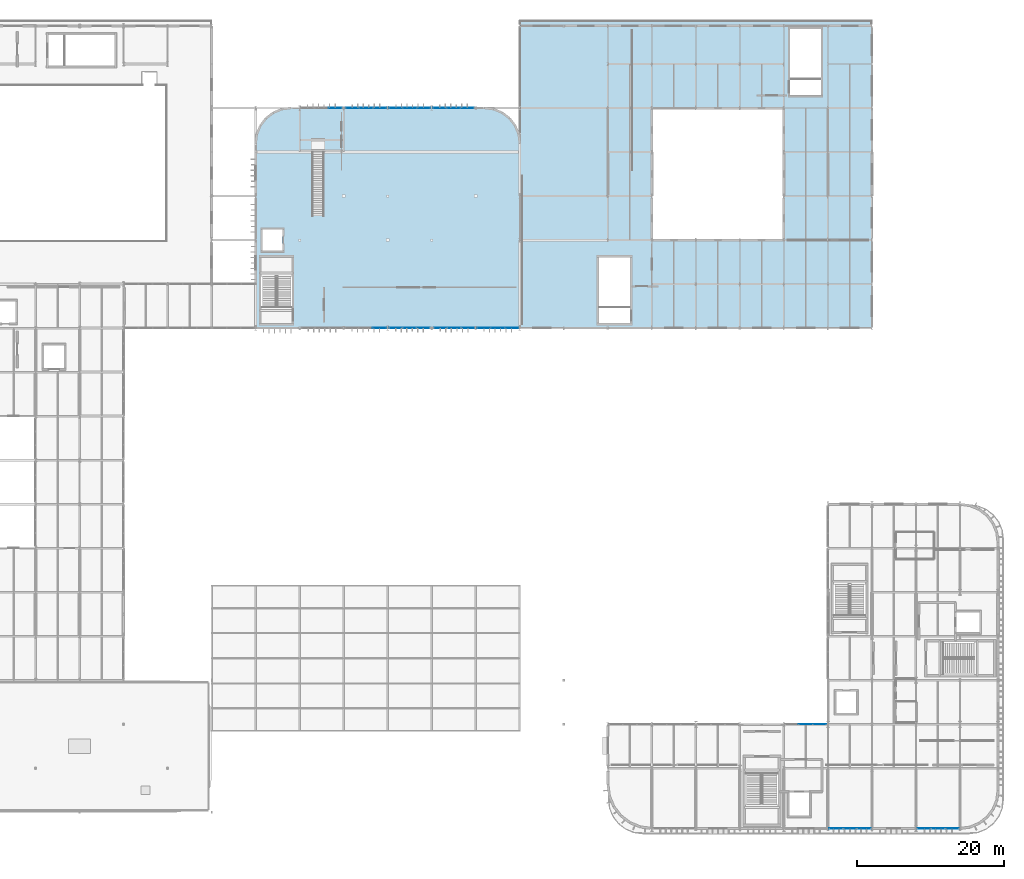
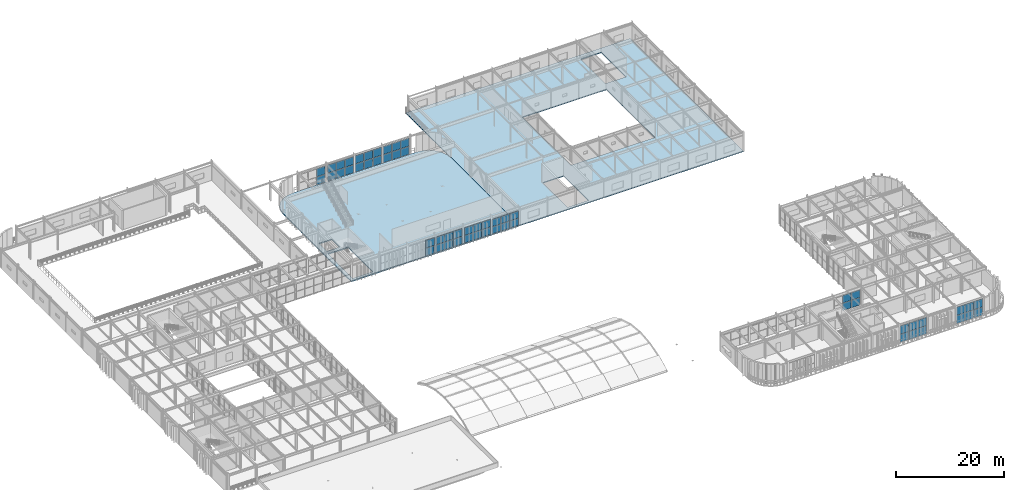
# One storey, part 50 of 84: 56 plates, 2 slabs, 11 elements without a shape of their own.
"""IFC4 building model written with IfcOpenShell, lengths in metres."""

from ifc_helpers import new_model, si_unit, direction, frame, origin, origin_2d, place, context, subcontext, project, spatial, polyline, rectangle, outline, extrude, material, layer, layer_set, type_object, element, aggregate, save


model = new_model("IFC4")

# Units and contexts
model_context = context("Model", 3, precision=1e-05, world=origin(), true_north=direction((0.0, 1.0)))
body_context = subcontext(model_context, "Body", "Model", "MODEL_VIEW")
ifc_project = project(units=[si_unit("LENGTHUNIT", "METRE"), si_unit("AREAUNIT", "SQUARE_METRE"), si_unit("VOLUMEUNIT", "CUBIC_METRE"), si_unit("PLANEANGLEUNIT", "RADIAN"), si_unit("MASSUNIT", "GRAM", prefix="KILO")], contexts=[model_context])

# Site, building, storey
site_placement = place(None, origin())
site = spatial("IfcSite", under=ifc_project, at=site_placement, CompositionType="ELEMENT")
building_placement = place(site_placement, origin())
building = spatial("IfcBuilding", under=site, at=building_placement, Name="Varnakota Square Police Headquarters", CompositionType="ELEMENT")
storey_placement = place(building_placement, frame((0.0, 0.0, 13.5)))
storey = spatial("IfcBuildingStorey", under=building, at=storey_placement, Name="L03", CompositionType="ELEMENT", Elevation=13.5)

# Curtain wall, plates
ifc_material_1 = material(Name="Anodised Aluminium Framing", Category="aluminium")
curtain_wall_type_1 = type_object("IfcCurtainWallType", Name="CW-SYS-C", PredefinedType="NOTDEFINED", material=ifc_material_1)
curtain_wall_1_placement = place(storey_placement, origin())
curtain_wall_1 = element("IfcCurtainWall", 1, at=curtain_wall_1_placement, inside=storey, type_object=curtain_wall_type_1, Name="Unitised curtain wall CWG-L03-079", PredefinedType="NOTDEFINED")
ifc_material_2 = material(Name="Solar-Control Laminated Double Glazing", Category="glass")
ifc_layer_1 = layer(ifc_material_2, 0.028076171875, Name="Solar-Control Laminated Double Glazing")
ifc_layer_set_1 = layer_set([ifc_layer_1], Name="Solar-Control Laminated Double Glazing")
plate_type_1 = type_object("IfcPlateType", Name="CWP-GLZ-28", PredefinedType="CURTAIN_PANEL", material=ifc_layer_set_1)
plate_1_placement = place(storey_placement, frame((151.132080078125, 0.800048828125, 0.06494140625), z_axis=(0.0, 0.0, 1.0), x_axis=(1.0, 0.0, 0.0)))
plate_1 = element("IfcPlate", 2, at=plate_1_placement, type_object=plate_type_1, Name="CWG-L03-079 panel 1.1", PredefinedType="CURTAIN_PANEL", context=body_context, shape_type="SweptSolid", body=[
    extrude(rectangle(XDim=1.80419921875, YDim=0.028076171875, at=origin_2d()), origin(), (0.0, 0.0, 1.0), 1.83544921875),
])
plate_2_placement = place(storey_placement, frame((153.017578125, 0.800048828125, 0.06494140625), z_axis=(0.0, 0.0, 1.0), x_axis=(1.0, 0.0, 0.0)))
plate_2 = element("IfcPlate", 3, at=plate_2_placement, type_object=plate_type_1, Name="CWG-L03-079 panel 2.1", PredefinedType="CURTAIN_PANEL", context=body_context, shape_type="SweptSolid", body=[
    extrude(rectangle(XDim=1.836669921875, YDim=0.028076171875, at=origin_2d()), origin(), (0.0, 0.0, 1.0), 1.83544921875),
])
plate_3_placement = place(storey_placement, frame((154.90283203125, 0.800048828125, 0.06494140625), z_axis=(0.0, 0.0, 1.0), x_axis=(1.0, 0.0, 0.0)))
plate_3 = element("IfcPlate", 4, at=plate_3_placement, type_object=plate_type_1, Name="CWG-L03-079 panel 3.1", PredefinedType="CURTAIN_PANEL", context=body_context, shape_type="SweptSolid", body=[
    extrude(rectangle(XDim=1.80419921875, YDim=0.028076171875, at=origin_2d()), origin(), (0.0, 0.0, 1.0), 1.83544921875),
])

curtain_wall_type_2 = type_object("IfcCurtainWallType", Name="CW-SYS-D", PredefinedType="NOTDEFINED", material=ifc_material_1)
curtain_wall_2_placement = place(storey_placement, origin())
curtain_wall_2 = element("IfcCurtainWall", 5, at=curtain_wall_2_placement, inside=storey, type_object=curtain_wall_type_2, Name="Unitised curtain wall CWG-L03-083", PredefinedType="NOTDEFINED")
plate_4_placement = place(storey_placement, frame((134.972412109375, 15.0, 0.06494140625), z_axis=(0.0, 0.0, 1.0), x_axis=(1.0, 0.0, 0.0)))
plate_4 = element("IfcPlate", 6, at=plate_4_placement, type_object=plate_type_1, Name="CWG-L03-083 panel 2.1", PredefinedType="CURTAIN_PANEL", context=body_context, shape_type="SweptSolid", body=[
    extrude(rectangle(XDim=1.84326171875, YDim=0.028076171875, at=origin_2d()), origin(), (0.0, 0.0, 1.0), 1.697509765625),
])
plate_5_placement = place(storey_placement, frame((136.864501953125, 15.0, 0.06494140625), z_axis=(0.0, 0.0, 1.0), x_axis=(1.0, 0.0, 0.0)))
plate_5 = element("IfcPlate", 7, at=plate_5_placement, type_object=plate_type_1, Name="CWG-L03-083 panel 3.1", PredefinedType="CURTAIN_PANEL", context=body_context, shape_type="SweptSolid", body=[
    extrude(rectangle(XDim=1.810791015625, YDim=0.028076171875, at=origin_2d()), origin(), (0.0, 0.0, 1.0), 1.697509765625),
])

curtain_wall_type_3 = type_object("IfcCurtainWallType", Name="CW-SYS-B", PredefinedType="NOTDEFINED", material=ifc_material_1)
curtain_wall_3_placement = place(storey_placement, origin())
curtain_wall_3 = element("IfcCurtainWall", 8, at=curtain_wall_3_placement, inside=storey, type_object=curtain_wall_type_3, Name="Unitised curtain wall CWG-L03-247", PredefinedType="NOTDEFINED")
plate_6_placement = place(storey_placement, frame((79.08984375, 69.0, 0.06494140625), z_axis=(0.0, 0.0, 1.0), x_axis=(1.0, 0.0, 0.0)))
plate_6 = element("IfcPlate", 9, at=plate_6_placement, type_object=plate_type_1, Name="CWG-L03-247 panel 1.1", PredefinedType="CURTAIN_PANEL", context=body_context, shape_type="SweptSolid", body=[
    extrude(rectangle(XDim=1.789794921875, YDim=0.028076171875, at=origin_2d()), origin(), (0.0, 0.0, 1.0), 1.697509765625),
])
plate_7_placement = place(storey_placement, frame((80.9609375, 69.0, 0.06494140625), z_axis=(0.0, 0.0, 1.0), x_axis=(1.0, 0.0, 0.0)))
plate_7 = element("IfcPlate", 10, at=plate_7_placement, type_object=plate_type_1, Name="CWG-L03-247 panel 2.1", PredefinedType="CURTAIN_PANEL", context=body_context, shape_type="SweptSolid", body=[
    extrude(rectangle(XDim=1.822265625, YDim=0.028076171875, at=origin_2d()), origin(), (0.0, 0.0, 1.0), 1.697509765625),
])
plate_8_placement = place(storey_placement, frame((82.83203125, 69.0, 0.06494140625), z_axis=(0.0, 0.0, 1.0), x_axis=(1.0, 0.0, 0.0)))
plate_8 = element("IfcPlate", 11, at=plate_8_placement, type_object=plate_type_1, Name="CWG-L03-247 panel 3.1", PredefinedType="CURTAIN_PANEL", context=body_context, shape_type="SweptSolid", body=[
    extrude(rectangle(XDim=1.789794921875, YDim=0.028076171875, at=origin_2d()), origin(), (0.0, 0.0, 1.0), 1.697509765625),
])

curtain_wall_4_placement = place(storey_placement, origin())
curtain_wall_4 = element("IfcCurtainWall", 12, at=curtain_wall_4_placement, inside=storey, type_object=curtain_wall_type_1, Name="Unitised curtain wall CWG-L03-251", PredefinedType="NOTDEFINED")
plate_9_placement = place(storey_placement, frame((73.16796875, 99.0, 0.06494140625), z_axis=(0.0, 0.0, 1.0), x_axis=(1.0, 0.0, 0.0)))
plate_9 = element("IfcPlate", 13, at=plate_9_placement, type_object=plate_type_1, Name="CWG-L03-251 panel 1.1", PredefinedType="CURTAIN_PANEL", context=body_context, shape_type="SweptSolid", body=[
    extrude(rectangle(XDim=1.789794921875, YDim=0.028076171875, at=origin_2d()), origin(), (0.0, 0.0, 1.0), 1.797607421875),
])
plate_10_placement = place(storey_placement, frame((75.0390625, 99.0, 0.06494140625), z_axis=(0.0, 0.0, 1.0), x_axis=(1.0, 0.0, 0.0)))
plate_10 = element("IfcPlate", 14, at=plate_10_placement, type_object=plate_type_1, Name="CWG-L03-251 panel 2.1", PredefinedType="CURTAIN_PANEL", context=body_context, shape_type="SweptSolid", body=[
    extrude(rectangle(XDim=1.822265625, YDim=0.028076171875, at=origin_2d()), origin(), (0.0, 0.0, 1.0), 1.797607421875),
])
plate_11_placement = place(storey_placement, frame((76.91015625, 99.0, 0.06494140625), z_axis=(0.0, 0.0, 1.0), x_axis=(1.0, 0.0, 0.0)))
plate_11 = element("IfcPlate", 15, at=plate_11_placement, type_object=plate_type_1, Name="CWG-L03-251 panel 3.1", PredefinedType="CURTAIN_PANEL", context=body_context, shape_type="SweptSolid", body=[
    extrude(rectangle(XDim=1.789794921875, YDim=0.028076171875, at=origin_2d()), origin(), (0.0, 0.0, 1.0), 1.797607421875),
])

curtain_wall_5_placement = place(storey_placement, origin())
curtain_wall_5 = element("IfcCurtainWall", 16, at=curtain_wall_5_placement, inside=storey, type_object=curtain_wall_type_3, Name="Unitised curtain wall CWG-L03-248", PredefinedType="NOTDEFINED")
ifc_material_3 = material(Name="Acoustic Laminated Double Glazing", Category="glass")
ifc_layer_2 = layer(ifc_material_3, 0.031982421875, Name="Acoustic Laminated Double Glazing")
ifc_layer_set_2 = layer_set([ifc_layer_2], Name="Acoustic Laminated Double Glazing")
plate_type_2 = type_object("IfcPlateType", Name="CWP-GLZ-32", PredefinedType="CURTAIN_PANEL", material=ifc_layer_set_2)
plate_12_placement = place(storey_placement, frame((85.16796875, 69.0, 0.06494140625), z_axis=(0.0, 0.0, 1.0), x_axis=(1.0, 0.0, 0.0)))
plate_12 = element("IfcPlate", 17, at=plate_12_placement, type_object=plate_type_2, Name="CWG-L03-248 panel 1.1", PredefinedType="CURTAIN_PANEL", context=body_context, shape_type="SweptSolid", body=[
    extrude(rectangle(XDim=1.789794921875, YDim=0.031982421875, at=origin_2d()), origin(), (0.0, 0.0, 1.0), 1.697509765625),
])
plate_13_placement = place(storey_placement, frame((87.0390625, 69.0, 0.06494140625), z_axis=(0.0, 0.0, 1.0), x_axis=(1.0, 0.0, 0.0)))
plate_13 = element("IfcPlate", 18, at=plate_13_placement, type_object=plate_type_2, Name="CWG-L03-248 panel 2.1", PredefinedType="CURTAIN_PANEL", context=body_context, shape_type="SweptSolid", body=[
    extrude(rectangle(XDim=1.822265625, YDim=0.031982421875, at=origin_2d()), origin(), (0.0, 0.0, 1.0), 1.697509765625),
])
plate_14_placement = place(storey_placement, frame((88.91015625, 69.0, 0.06494140625), z_axis=(0.0, 0.0, 1.0), x_axis=(1.0, 0.0, 0.0)))
plate_14 = element("IfcPlate", 19, at=plate_14_placement, type_object=plate_type_2, Name="CWG-L03-248 panel 3.1", PredefinedType="CURTAIN_PANEL", context=body_context, shape_type="SweptSolid", body=[
    extrude(rectangle(XDim=1.789794921875, YDim=0.031982421875, at=origin_2d()), origin(), (0.0, 0.0, 1.0), 1.697509765625),
])

curtain_wall_6_placement = place(storey_placement, origin())
curtain_wall_6 = element("IfcCurtainWall", 20, at=curtain_wall_6_placement, inside=storey, type_object=curtain_wall_type_1, Name="Unitised curtain wall CWG-L03-252", PredefinedType="NOTDEFINED")
plate_15_placement = place(storey_placement, frame((79.10302734375, 99.0, 0.06494140625), z_axis=(0.0, 0.0, 1.0), x_axis=(1.0, 0.0, 0.0)))
plate_15 = element("IfcPlate", 21, at=plate_15_placement, type_object=plate_type_2, Name="CWG-L03-252 panel 1.1", PredefinedType="CURTAIN_PANEL", context=body_context, shape_type="SweptSolid", body=[
    extrude(rectangle(XDim=1.81591796875, YDim=0.031982421875, at=origin_2d()), origin(), (0.0, 0.0, 1.0), 1.822509765625),
])
plate_16_placement = place(storey_placement, frame((81.0, 99.0, 0.06494140625), z_axis=(0.0, 0.0, 1.0), x_axis=(1.0, 0.0, 0.0)))
plate_16 = element("IfcPlate", 22, at=plate_16_placement, type_object=plate_type_2, Name="CWG-L03-252 panel 2.1", PredefinedType="CURTAIN_PANEL", context=body_context, shape_type="SweptSolid", body=[
    extrude(rectangle(XDim=1.848388671875, YDim=0.031982421875, at=origin_2d()), origin(), (0.0, 0.0, 1.0), 1.822509765625),
])
plate_17_placement = place(storey_placement, frame((82.89697265625, 99.0, 0.06494140625), z_axis=(0.0, 0.0, 1.0), x_axis=(1.0, 0.0, 0.0)))
plate_17 = element("IfcPlate", 23, at=plate_17_placement, type_object=plate_type_2, Name="CWG-L03-252 panel 3.1", PredefinedType="CURTAIN_PANEL", context=body_context, shape_type="SweptSolid", body=[
    extrude(rectangle(XDim=1.81591796875, YDim=0.031982421875, at=origin_2d()), origin(), (0.0, 0.0, 1.0), 1.822509765625),
])

curtain_wall_7_placement = place(storey_placement, origin())
curtain_wall_7 = element("IfcCurtainWall", 24, at=curtain_wall_7_placement, inside=storey, type_object=curtain_wall_type_3, Name="Unitised curtain wall CWG-L03-249", PredefinedType="NOTDEFINED")
ifc_material_4 = material(Name="Blast-Resistant Laminated Glazing", Category="glass")
ifc_layer_3 = layer(ifc_material_4, 0.035888671875, Name="Blast-Resistant Laminated Glazing")
ifc_layer_set_3 = layer_set([ifc_layer_3], Name="Blast-Resistant Laminated Glazing")
plate_type_3 = type_object("IfcPlateType", Name="CWP-GLZ-36", PredefinedType="CURTAIN_PANEL", material=ifc_layer_set_3)
plate_18_placement = place(storey_placement, frame((91.10302734375, 69.0, 0.06494140625), z_axis=(0.0, 0.0, 1.0), x_axis=(1.0, 0.0, 0.0)))
plate_18 = element("IfcPlate", 25, at=plate_18_placement, type_object=plate_type_3, Name="CWG-L03-249 panel 1.1", PredefinedType="CURTAIN_PANEL", context=body_context, shape_type="SweptSolid", body=[
    extrude(rectangle(XDim=1.81591796875, YDim=0.035888671875, at=origin_2d()), origin(), (0.0, 0.0, 1.0), 1.597412109375),
])
plate_19_placement = place(storey_placement, frame((93.0, 69.0, 0.06494140625), z_axis=(0.0, 0.0, 1.0), x_axis=(1.0, 0.0, 0.0)))
plate_19 = element("IfcPlate", 26, at=plate_19_placement, type_object=plate_type_3, Name="CWG-L03-249 panel 2.1", PredefinedType="CURTAIN_PANEL", context=body_context, shape_type="SweptSolid", body=[
    extrude(rectangle(XDim=1.848388671875, YDim=0.035888671875, at=origin_2d()), origin(), (0.0, 0.0, 1.0), 1.597412109375),
])
plate_20_placement = place(storey_placement, frame((94.89697265625, 69.0, 0.06494140625), z_axis=(0.0, 0.0, 1.0), x_axis=(1.0, 0.0, 0.0)))
plate_20 = element("IfcPlate", 27, at=plate_20_placement, type_object=plate_type_3, Name="CWG-L03-249 panel 3.1", PredefinedType="CURTAIN_PANEL", context=body_context, shape_type="SweptSolid", body=[
    extrude(rectangle(XDim=1.81591796875, YDim=0.035888671875, at=origin_2d()), origin(), (0.0, 0.0, 1.0), 1.597412109375),
])

curtain_wall_8_placement = place(storey_placement, origin())
curtain_wall_8 = element("IfcCurtainWall", 28, at=curtain_wall_8_placement, inside=storey, type_object=curtain_wall_type_1, Name="Unitised curtain wall CWG-L03-253", PredefinedType="NOTDEFINED")
plate_21_placement = place(storey_placement, frame((85.08984375, 99.0, 0.06494140625), z_axis=(0.0, 0.0, 1.0), x_axis=(1.0, 0.0, 0.0)))
plate_21 = element("IfcPlate", 29, at=plate_21_placement, type_object=plate_type_3, Name="CWG-L03-253 panel 1.1", PredefinedType="CURTAIN_PANEL", context=body_context, shape_type="SweptSolid", body=[
    extrude(rectangle(XDim=1.789794921875, YDim=0.035888671875, at=origin_2d()), origin(), (0.0, 0.0, 1.0), 1.822509765625),
])
plate_22_placement = place(storey_placement, frame((86.9609375, 99.0, 0.06494140625), z_axis=(0.0, 0.0, 1.0), x_axis=(1.0, 0.0, 0.0)))
plate_22 = element("IfcPlate", 30, at=plate_22_placement, type_object=plate_type_3, Name="CWG-L03-253 panel 2.1", PredefinedType="CURTAIN_PANEL", context=body_context, shape_type="SweptSolid", body=[
    extrude(rectangle(XDim=1.822265625, YDim=0.035888671875, at=origin_2d()), origin(), (0.0, 0.0, 1.0), 1.822509765625),
])
plate_23_placement = place(storey_placement, frame((88.83203125, 99.0, 0.06494140625), z_axis=(0.0, 0.0, 1.0), x_axis=(1.0, 0.0, 0.0)))
plate_23 = element("IfcPlate", 31, at=plate_23_placement, type_object=plate_type_3, Name="CWG-L03-253 panel 3.1", PredefinedType="CURTAIN_PANEL", context=body_context, shape_type="SweptSolid", body=[
    extrude(rectangle(XDim=1.789794921875, YDim=0.035888671875, at=origin_2d()), origin(), (0.0, 0.0, 1.0), 1.822509765625),
])

curtain_wall_9_placement = place(storey_placement, origin())
curtain_wall_9 = element("IfcCurtainWall", 32, at=curtain_wall_9_placement, inside=storey, type_object=curtain_wall_type_1, Name="Unitised curtain wall CWG-L03-078", PredefinedType="NOTDEFINED")
ifc_material_5 = material(Name="Triple-Glazed Clean-Lab Vision Unit", Category="aluminium")
ifc_layer_4 = layer(ifc_material_5, 0.0419921875, Name="Triple-Glazed Clean-Lab Vision Unit")
ifc_layer_set_4 = layer_set([ifc_layer_4], Name="Triple-Glazed Clean-Lab Vision Unit")
plate_type_4 = type_object("IfcPlateType", Name="CWP-GLZ-42", PredefinedType="CURTAIN_PANEL", material=ifc_layer_set_4)
plate_24_placement = place(storey_placement, frame((139.106201171875, 0.800048828125, 0.06494140625), z_axis=(0.0, 0.0, 1.0), x_axis=(1.0, 0.0, 0.0)))
plate_24 = element("IfcPlate", 33, at=plate_24_placement, type_object=plate_type_4, Name="CWG-L03-078 panel 1.1", PredefinedType="CURTAIN_PANEL", context=body_context, shape_type="SweptSolid", body=[
    extrude(rectangle(XDim=1.822509765625, YDim=0.0419921875, at=origin_2d()), origin(), (0.0, 0.0, 1.0), 1.822509765625),
])
plate_25_placement = place(storey_placement, frame((141.010009765625, 0.800048828125, 0.06494140625), z_axis=(0.0, 0.0, 1.0), x_axis=(1.0, 0.0, 0.0)))
plate_25 = element("IfcPlate", 34, at=plate_25_placement, type_object=plate_type_4, Name="CWG-L03-078 panel 2.1", PredefinedType="CURTAIN_PANEL", context=body_context, shape_type="SweptSolid", body=[
    extrude(rectangle(XDim=1.85498046875, YDim=0.0419921875, at=origin_2d()), origin(), (0.0, 0.0, 1.0), 1.822509765625),
])
plate_26_placement = place(storey_placement, frame((142.913818359375, 0.800048828125, 0.06494140625), z_axis=(0.0, 0.0, 1.0), x_axis=(1.0, 0.0, 0.0)))
plate_26 = element("IfcPlate", 35, at=plate_26_placement, type_object=plate_type_4, Name="CWG-L03-078 panel 3.1", PredefinedType="CURTAIN_PANEL", context=body_context, shape_type="SweptSolid", body=[
    extrude(rectangle(XDim=1.822509765625, YDim=0.0419921875, at=origin_2d()), origin(), (0.0, 0.0, 1.0), 1.822509765625),
])

# Curtain wall, plate
curtain_wall_10_placement = place(storey_placement, origin())
curtain_wall_10 = element("IfcCurtainWall", 36, at=curtain_wall_10_placement, inside=storey, type_object=curtain_wall_type_3, Name="Unitised curtain wall CWG-L03-246", PredefinedType="NOTDEFINED")
plate_27_placement = place(storey_placement, frame((76.89697265625, 69.0, 0.06494140625), z_axis=(0.0, 0.0, 1.0), x_axis=(1.0, 0.0, 0.0)))
plate_27 = element("IfcPlate", 37, at=plate_27_placement, type_object=plate_type_4, Name="CWG-L03-246 panel 3.1", PredefinedType="CURTAIN_PANEL", context=body_context, shape_type="SweptSolid", body=[
    extrude(rectangle(XDim=1.81591796875, YDim=0.0419921875, at=origin_2d()), origin(), (0.0, 0.0, 1.0), 1.722412109375),
])

curtain_wall_11_placement = place(storey_placement, origin())
curtain_wall_11 = element("IfcCurtainWall", 38, at=curtain_wall_11_placement, inside=storey, type_object=curtain_wall_type_1, Name="Unitised curtain wall CWG-L03-250", PredefinedType="NOTDEFINED")
plate_28_placement = place(storey_placement, frame((70.83203125, 99.0, 0.06494140625), z_axis=(0.0, 0.0, 1.0), x_axis=(1.0, 0.0, 0.0)))
plate_28 = element("IfcPlate", 39, at=plate_28_placement, type_object=plate_type_4, Name="CWG-L03-250 panel 3.1", PredefinedType="CURTAIN_PANEL", context=body_context, shape_type="SweptSolid", body=[
    extrude(rectangle(XDim=1.789794921875, YDim=0.0419921875, at=origin_2d()), origin(), (0.0, 0.0, 1.0), 1.797607421875),
])

# Plate
ifc_material_6 = material(Name="Insulated Anodised Aluminium Spandrel Panel", Category="aluminium")
ifc_layer_5 = layer(ifc_material_6, 0.050048828125, Name="Insulated Anodised Aluminium Spandrel Panel")
ifc_layer_set_5 = layer_set([ifc_layer_5], Name="Insulated Anodised Aluminium Spandrel Panel")
plate_type_5 = type_object("IfcPlateType", Name="CWP-SPN-50", PredefinedType="CURTAIN_PANEL", material=ifc_layer_set_5)
plate_29_placement = place(storey_placement, frame((151.132080078125, 0.800048828125, 1.96533203125), z_axis=(0.0, 0.0, 1.0), x_axis=(1.0, 0.0, 0.0)))
plate_29 = element("IfcPlate", 40, at=plate_29_placement, type_object=plate_type_5, Name="CWG-L03-079 panel 1.2", PredefinedType="CURTAIN_PANEL", context=body_context, shape_type="SweptSolid", body=[
    extrude(rectangle(XDim=1.80419921875, YDim=0.050048828125, at=origin_2d()), origin(), (0.0, 0.0, 1.0), 1.835693359375),
])

plate_30_placement = place(storey_placement, frame((153.017578125, 0.800048828125, 1.96533203125), z_axis=(0.0, 0.0, 1.0), x_axis=(1.0, 0.0, 0.0)))
plate_30 = element("IfcPlate", 41, at=plate_30_placement, type_object=plate_type_5, Name="CWG-L03-079 panel 2.2", PredefinedType="CURTAIN_PANEL", context=body_context, shape_type="SweptSolid", body=[
    extrude(rectangle(XDim=1.836669921875, YDim=0.050048828125, at=origin_2d()), origin(), (0.0, 0.0, 1.0), 1.835693359375),
])

plate_31_placement = place(storey_placement, frame((154.90283203125, 0.800048828125, 1.96533203125), z_axis=(0.0, 0.0, 1.0), x_axis=(1.0, 0.0, 0.0)))
plate_31 = element("IfcPlate", 42, at=plate_31_placement, type_object=plate_type_5, Name="CWG-L03-079 panel 3.2", PredefinedType="CURTAIN_PANEL", context=body_context, shape_type="SweptSolid", body=[
    extrude(rectangle(XDim=1.80419921875, YDim=0.050048828125, at=origin_2d()), origin(), (0.0, 0.0, 1.0), 1.835693359375),
])

aggregate(curtain_wall_1, [plate_1, plate_29, plate_2, plate_30, plate_3, plate_31])

plate_32_placement = place(storey_placement, frame((134.972412109375, 15.0, 1.82763671875), z_axis=(0.0, 0.0, 1.0), x_axis=(1.0, 0.0, 0.0)))
plate_32 = element("IfcPlate", 43, at=plate_32_placement, type_object=plate_type_5, Name="CWG-L03-083 panel 2.2", PredefinedType="CURTAIN_PANEL", context=body_context, shape_type="SweptSolid", body=[
    extrude(rectangle(XDim=1.84326171875, YDim=0.050048828125, at=origin_2d()), origin(), (0.0, 0.0, 1.0), 1.697509765625),
])

plate_33_placement = place(storey_placement, frame((136.864501953125, 15.0, 1.82763671875), z_axis=(0.0, 0.0, 1.0), x_axis=(1.0, 0.0, 0.0)))
plate_33 = element("IfcPlate", 44, at=plate_33_placement, type_object=plate_type_5, Name="CWG-L03-083 panel 3.2", PredefinedType="CURTAIN_PANEL", context=body_context, shape_type="SweptSolid", body=[
    extrude(rectangle(XDim=1.810791015625, YDim=0.050048828125, at=origin_2d()), origin(), (0.0, 0.0, 1.0), 1.697509765625),
])

aggregate(curtain_wall_2, [plate_4, plate_32, plate_5, plate_33])

plate_34_placement = place(storey_placement, frame((79.08984375, 69.0, 1.82763671875), z_axis=(0.0, 0.0, 1.0), x_axis=(1.0, 0.0, 0.0)))
plate_34 = element("IfcPlate", 45, at=plate_34_placement, type_object=plate_type_5, Name="CWG-L03-247 panel 1.2", PredefinedType="CURTAIN_PANEL", context=body_context, shape_type="SweptSolid", body=[
    extrude(rectangle(XDim=1.789794921875, YDim=0.050048828125, at=origin_2d()), origin(), (0.0, 0.0, 1.0), 1.697509765625),
])

plate_35_placement = place(storey_placement, frame((80.9609375, 69.0, 1.82763671875), z_axis=(0.0, 0.0, 1.0), x_axis=(1.0, 0.0, 0.0)))
plate_35 = element("IfcPlate", 46, at=plate_35_placement, type_object=plate_type_5, Name="CWG-L03-247 panel 2.2", PredefinedType="CURTAIN_PANEL", context=body_context, shape_type="SweptSolid", body=[
    extrude(rectangle(XDim=1.822265625, YDim=0.050048828125, at=origin_2d()), origin(), (0.0, 0.0, 1.0), 1.697509765625),
])

plate_36_placement = place(storey_placement, frame((82.83203125, 69.0, 1.82763671875), z_axis=(0.0, 0.0, 1.0), x_axis=(1.0, 0.0, 0.0)))
plate_36 = element("IfcPlate", 47, at=plate_36_placement, type_object=plate_type_5, Name="CWG-L03-247 panel 3.2", PredefinedType="CURTAIN_PANEL", context=body_context, shape_type="SweptSolid", body=[
    extrude(rectangle(XDim=1.789794921875, YDim=0.050048828125, at=origin_2d()), origin(), (0.0, 0.0, 1.0), 1.697509765625),
])

aggregate(curtain_wall_3, [plate_6, plate_34, plate_7, plate_35, plate_8, plate_36])

plate_37_placement = place(storey_placement, frame((91.10302734375, 69.0, 1.7275390625), z_axis=(0.0, 0.0, 1.0), x_axis=(1.0, 0.0, 0.0)))
plate_37 = element("IfcPlate", 48, at=plate_37_placement, type_object=plate_type_5, Name="CWG-L03-249 panel 1.2", PredefinedType="CURTAIN_PANEL", context=body_context, shape_type="SweptSolid", body=[
    extrude(rectangle(XDim=1.81591796875, YDim=0.050048828125, at=origin_2d()), origin(), (0.0, 0.0, 1.0), 1.597412109375),
])

plate_38_placement = place(storey_placement, frame((93.0, 69.0, 1.7275390625), z_axis=(0.0, 0.0, 1.0), x_axis=(1.0, 0.0, 0.0)))
plate_38 = element("IfcPlate", 49, at=plate_38_placement, type_object=plate_type_5, Name="CWG-L03-249 panel 2.2", PredefinedType="CURTAIN_PANEL", context=body_context, shape_type="SweptSolid", body=[
    extrude(rectangle(XDim=1.848388671875, YDim=0.050048828125, at=origin_2d()), origin(), (0.0, 0.0, 1.0), 1.597412109375),
])

plate_39_placement = place(storey_placement, frame((94.89697265625, 69.0, 1.7275390625), z_axis=(0.0, 0.0, 1.0), x_axis=(1.0, 0.0, 0.0)))
plate_39 = element("IfcPlate", 50, at=plate_39_placement, type_object=plate_type_5, Name="CWG-L03-249 panel 3.2", PredefinedType="CURTAIN_PANEL", context=body_context, shape_type="SweptSolid", body=[
    extrude(rectangle(XDim=1.81591796875, YDim=0.050048828125, at=origin_2d()), origin(), (0.0, 0.0, 1.0), 1.597412109375),
])

aggregate(curtain_wall_7, [plate_18, plate_37, plate_19, plate_38, plate_20, plate_39])

plate_40_placement = place(storey_placement, frame((73.16796875, 99.0, 1.92724609375), z_axis=(0.0, 0.0, 1.0), x_axis=(1.0, 0.0, 0.0)))
plate_40 = element("IfcPlate", 51, at=plate_40_placement, type_object=plate_type_5, Name="CWG-L03-251 panel 1.2", PredefinedType="CURTAIN_PANEL", context=body_context, shape_type="SweptSolid", body=[
    extrude(rectangle(XDim=1.789794921875, YDim=0.050048828125, at=origin_2d()), origin(), (0.0, 0.0, 1.0), 1.797607421875),
])

plate_41_placement = place(storey_placement, frame((75.0390625, 99.0, 1.92724609375), z_axis=(0.0, 0.0, 1.0), x_axis=(1.0, 0.0, 0.0)))
plate_41 = element("IfcPlate", 52, at=plate_41_placement, type_object=plate_type_5, Name="CWG-L03-251 panel 2.2", PredefinedType="CURTAIN_PANEL", context=body_context, shape_type="SweptSolid", body=[
    extrude(rectangle(XDim=1.822265625, YDim=0.050048828125, at=origin_2d()), origin(), (0.0, 0.0, 1.0), 1.797607421875),
])

plate_42_placement = place(storey_placement, frame((76.91015625, 99.0, 1.92724609375), z_axis=(0.0, 0.0, 1.0), x_axis=(1.0, 0.0, 0.0)))
plate_42 = element("IfcPlate", 53, at=plate_42_placement, type_object=plate_type_5, Name="CWG-L03-251 panel 3.2", PredefinedType="CURTAIN_PANEL", context=body_context, shape_type="SweptSolid", body=[
    extrude(rectangle(XDim=1.789794921875, YDim=0.050048828125, at=origin_2d()), origin(), (0.0, 0.0, 1.0), 1.797607421875),
])

aggregate(curtain_wall_4, [plate_9, plate_40, plate_10, plate_41, plate_11, plate_42])

plate_43_placement = place(storey_placement, frame((85.08984375, 99.0, 1.95263671875), z_axis=(0.0, 0.0, 1.0), x_axis=(1.0, 0.0, 0.0)))
plate_43 = element("IfcPlate", 54, at=plate_43_placement, type_object=plate_type_5, Name="CWG-L03-253 panel 1.2", PredefinedType="CURTAIN_PANEL", context=body_context, shape_type="SweptSolid", body=[
    extrude(rectangle(XDim=1.789794921875, YDim=0.050048828125, at=origin_2d()), origin(), (0.0, 0.0, 1.0), 1.822509765625),
])

plate_44_placement = place(storey_placement, frame((86.9609375, 99.0, 1.95263671875), z_axis=(0.0, 0.0, 1.0), x_axis=(1.0, 0.0, 0.0)))
plate_44 = element("IfcPlate", 55, at=plate_44_placement, type_object=plate_type_5, Name="CWG-L03-253 panel 2.2", PredefinedType="CURTAIN_PANEL", context=body_context, shape_type="SweptSolid", body=[
    extrude(rectangle(XDim=1.822265625, YDim=0.050048828125, at=origin_2d()), origin(), (0.0, 0.0, 1.0), 1.822509765625),
])

plate_45_placement = place(storey_placement, frame((88.83203125, 99.0, 1.95263671875), z_axis=(0.0, 0.0, 1.0), x_axis=(1.0, 0.0, 0.0)))
plate_45 = element("IfcPlate", 56, at=plate_45_placement, type_object=plate_type_5, Name="CWG-L03-253 panel 3.2", PredefinedType="CURTAIN_PANEL", context=body_context, shape_type="SweptSolid", body=[
    extrude(rectangle(XDim=1.789794921875, YDim=0.050048828125, at=origin_2d()), origin(), (0.0, 0.0, 1.0), 1.822509765625),
])

aggregate(curtain_wall_8, [plate_21, plate_43, plate_22, plate_44, plate_23, plate_45])

ifc_material_7 = material(Name="Fire-Stopped Mineral-Wool Spandrel Panel", Category="aluminium")
ifc_layer_6 = layer(ifc_material_7, 0.06005859375, Name="Fire-Stopped Mineral-Wool Spandrel Panel")
ifc_layer_set_6 = layer_set([ifc_layer_6], Name="Fire-Stopped Mineral-Wool Spandrel Panel")
plate_type_6 = type_object("IfcPlateType", Name="CWP-SPN-60", PredefinedType="CURTAIN_PANEL", material=ifc_layer_set_6)
plate_46_placement = place(storey_placement, frame((139.106201171875, 0.800048828125, 1.95263671875), z_axis=(0.0, 0.0, 1.0), x_axis=(1.0, 0.0, 0.0)))
plate_46 = element("IfcPlate", 57, at=plate_46_placement, type_object=plate_type_6, Name="CWG-L03-078 panel 1.2", PredefinedType="CURTAIN_PANEL", context=body_context, shape_type="SweptSolid", body=[
    extrude(rectangle(XDim=1.822509765625, YDim=0.06005859375, at=origin_2d()), origin(), (0.0, 0.0, 1.0), 1.822509765625),
])

plate_47_placement = place(storey_placement, frame((141.010009765625, 0.800048828125, 1.95263671875), z_axis=(0.0, 0.0, 1.0), x_axis=(1.0, 0.0, 0.0)))
plate_47 = element("IfcPlate", 58, at=plate_47_placement, type_object=plate_type_6, Name="CWG-L03-078 panel 2.2", PredefinedType="CURTAIN_PANEL", context=body_context, shape_type="SweptSolid", body=[
    extrude(rectangle(XDim=1.85498046875, YDim=0.06005859375, at=origin_2d()), origin(), (0.0, 0.0, 1.0), 1.822509765625),
])

plate_48_placement = place(storey_placement, frame((142.913818359375, 0.800048828125, 1.95263671875), z_axis=(0.0, 0.0, 1.0), x_axis=(1.0, 0.0, 0.0)))
plate_48 = element("IfcPlate", 59, at=plate_48_placement, type_object=plate_type_6, Name="CWG-L03-078 panel 3.2", PredefinedType="CURTAIN_PANEL", context=body_context, shape_type="SweptSolid", body=[
    extrude(rectangle(XDim=1.822509765625, YDim=0.06005859375, at=origin_2d()), origin(), (0.0, 0.0, 1.0), 1.822509765625),
])

aggregate(curtain_wall_9, [plate_24, plate_46, plate_25, plate_47, plate_26, plate_48])

plate_49_placement = place(storey_placement, frame((76.89697265625, 69.0, 1.8525390625), z_axis=(0.0, 0.0, 1.0), x_axis=(1.0, 0.0, 0.0)))
plate_49 = element("IfcPlate", 60, at=plate_49_placement, type_object=plate_type_6, Name="CWG-L03-246 panel 3.2", PredefinedType="CURTAIN_PANEL", context=body_context, shape_type="SweptSolid", body=[
    extrude(rectangle(XDim=1.81591796875, YDim=0.06005859375, at=origin_2d()), origin(), (0.0, 0.0, 1.0), 1.722412109375),
])

aggregate(curtain_wall_10, [plate_27, plate_49])

plate_50_placement = place(storey_placement, frame((85.16796875, 69.0, 1.82763671875), z_axis=(0.0, 0.0, 1.0), x_axis=(1.0, 0.0, 0.0)))
plate_50 = element("IfcPlate", 61, at=plate_50_placement, type_object=plate_type_6, Name="CWG-L03-248 panel 1.2", PredefinedType="CURTAIN_PANEL", context=body_context, shape_type="SweptSolid", body=[
    extrude(rectangle(XDim=1.789794921875, YDim=0.06005859375, at=origin_2d()), origin(), (0.0, 0.0, 1.0), 1.697509765625),
])

plate_51_placement = place(storey_placement, frame((87.0390625, 69.0, 1.82763671875), z_axis=(0.0, 0.0, 1.0), x_axis=(1.0, 0.0, 0.0)))
plate_51 = element("IfcPlate", 62, at=plate_51_placement, type_object=plate_type_6, Name="CWG-L03-248 panel 2.2", PredefinedType="CURTAIN_PANEL", context=body_context, shape_type="SweptSolid", body=[
    extrude(rectangle(XDim=1.822265625, YDim=0.06005859375, at=origin_2d()), origin(), (0.0, 0.0, 1.0), 1.697509765625),
])

plate_52_placement = place(storey_placement, frame((88.91015625, 69.0, 1.82763671875), z_axis=(0.0, 0.0, 1.0), x_axis=(1.0, 0.0, 0.0)))
plate_52 = element("IfcPlate", 63, at=plate_52_placement, type_object=plate_type_6, Name="CWG-L03-248 panel 3.2", PredefinedType="CURTAIN_PANEL", context=body_context, shape_type="SweptSolid", body=[
    extrude(rectangle(XDim=1.789794921875, YDim=0.06005859375, at=origin_2d()), origin(), (0.0, 0.0, 1.0), 1.697509765625),
])

aggregate(curtain_wall_5, [plate_12, plate_50, plate_13, plate_51, plate_14, plate_52])

plate_53_placement = place(storey_placement, frame((70.83203125, 99.0, 1.92724609375), z_axis=(0.0, 0.0, 1.0), x_axis=(1.0, 0.0, 0.0)))
plate_53 = element("IfcPlate", 64, at=plate_53_placement, type_object=plate_type_6, Name="CWG-L03-250 panel 3.2", PredefinedType="CURTAIN_PANEL", context=body_context, shape_type="SweptSolid", body=[
    extrude(rectangle(XDim=1.789794921875, YDim=0.06005859375, at=origin_2d()), origin(), (0.0, 0.0, 1.0), 1.797607421875),
])

aggregate(curtain_wall_11, [plate_28, plate_53])

plate_54_placement = place(storey_placement, frame((79.10302734375, 99.0, 1.95263671875), z_axis=(0.0, 0.0, 1.0), x_axis=(1.0, 0.0, 0.0)))
plate_54 = element("IfcPlate", 65, at=plate_54_placement, type_object=plate_type_6, Name="CWG-L03-252 panel 1.2", PredefinedType="CURTAIN_PANEL", context=body_context, shape_type="SweptSolid", body=[
    extrude(rectangle(XDim=1.81591796875, YDim=0.06005859375, at=origin_2d()), origin(), (0.0, 0.0, 1.0), 1.822509765625),
])

plate_55_placement = place(storey_placement, frame((81.0, 99.0, 1.95263671875), z_axis=(0.0, 0.0, 1.0), x_axis=(1.0, 0.0, 0.0)))
plate_55 = element("IfcPlate", 66, at=plate_55_placement, type_object=plate_type_6, Name="CWG-L03-252 panel 2.2", PredefinedType="CURTAIN_PANEL", context=body_context, shape_type="SweptSolid", body=[
    extrude(rectangle(XDim=1.848388671875, YDim=0.06005859375, at=origin_2d()), origin(), (0.0, 0.0, 1.0), 1.822509765625),
])

plate_56_placement = place(storey_placement, frame((82.89697265625, 99.0, 1.95263671875), z_axis=(0.0, 0.0, 1.0), x_axis=(1.0, 0.0, 0.0)))
plate_56 = element("IfcPlate", 67, at=plate_56_placement, type_object=plate_type_6, Name="CWG-L03-252 panel 3.2", PredefinedType="CURTAIN_PANEL", context=body_context, shape_type="SweptSolid", body=[
    extrude(rectangle(XDim=1.81591796875, YDim=0.06005859375, at=origin_2d()), origin(), (0.0, 0.0, 1.0), 1.822509765625),
])

aggregate(curtain_wall_6, [plate_15, plate_54, plate_16, plate_55, plate_17, plate_56])

# Slabs
ifc_material_8 = material(Name="Concrete M40", Category="concrete")
ifc_layer_7 = layer(ifc_material_8, 0.199951171875, Name="Concrete M40")
ifc_layer_set_7 = layer_set([ifc_layer_7], Name="Concrete M40")
slab_type_1 = type_object("IfcSlabType", Name="SL-COMP-200", PredefinedType="FLOOR", material=ifc_layer_set_7)
slab_1_placement = place(storey_placement, frame((0.0, 0.0, -0.199951171875)))
element("IfcSlab", 68, at=slab_1_placement, inside=storey, type_object=slab_type_1, Name="L03 Cyber Simulation Classrooms Slab", PredefinedType="FLOOR", context=body_context, shape_type="SweptSolid", body=[
    extrude(outline(polyline([(96.0, 69.0), (144.0, 69.0), (144.0, 111.0), (96.0, 111.0), (96.0, 69.0)]), holes=[polyline([(114.0, 81.0), (132.0, 81.0), (132.0, 99.0), (114.0, 99.0), (114.0, 81.0)]), polyline([(132.7548828125, 100.655029296875), (137.14501953125, 100.655029296875), (137.14501953125, 109.844970703125), (132.7548828125, 109.844970703125), (132.7548828125, 100.655029296875)]), polyline([(106.655029296875, 69.554931640625), (111.14501953125, 69.554931640625), (111.14501953125, 78.7451171875), (106.655029296875, 78.7451171875), (106.655029296875, 69.554931640625)])]), origin(), (0.0, 0.0, 1.0), 0.199951171875),
])
ifc_layer_8 = layer(ifc_material_8, 0.25, Name="Concrete M40")
ifc_layer_set_8 = layer_set([ifc_layer_8], Name="Concrete M40")
slab_type_2 = type_object("IfcSlabType", Name="SL-POD-250", PredefinedType="FLOOR", material=ifc_layer_set_8)
slab_2_placement = place(storey_placement, frame((0.0, 0.0, -0.25)))
element("IfcSlab", 69, at=slab_2_placement, inside=storey, type_object=slab_type_2, Name="L03 Integrated Command and Control Slab", PredefinedType="FLOOR", context=body_context, shape_type="SweptSolid", body=[
    extrude(outline(polyline([(60.0, 69.0), (96.0, 69.0), (96.0, 94.199951171875), (95.83642578125, 95.4423828125), (95.35693359375, 96.60009765625), (94.593994140625, 97.593994140625), (93.60009765625, 98.35693359375), (92.4423828125, 98.83642578125), (91.199951171875, 99.0), (64.800048828125, 99.0), (63.5576171875, 98.83642578125), (62.39990234375, 98.35693359375), (61.406005859375, 97.593994140625), (60.64306640625, 96.60009765625), (60.16357421875, 95.4423828125), (60.0, 94.199951171875), (60.0, 69.0)]), holes=[polyline([(60.655029296875, 69.554931640625), (65.044921875, 69.554931640625), (65.044921875, 78.7451171875), (60.655029296875, 78.7451171875), (60.655029296875, 69.554931640625)]), polyline([(60.9150390625, 79.514892578125), (63.68505859375, 79.514892578125), (63.68505859375, 82.485107421875), (60.9150390625, 82.485107421875), (60.9150390625, 79.514892578125)])]), origin(), (0.0, 0.0, 1.0), 0.25),
])

save(model, "model.ifc")
